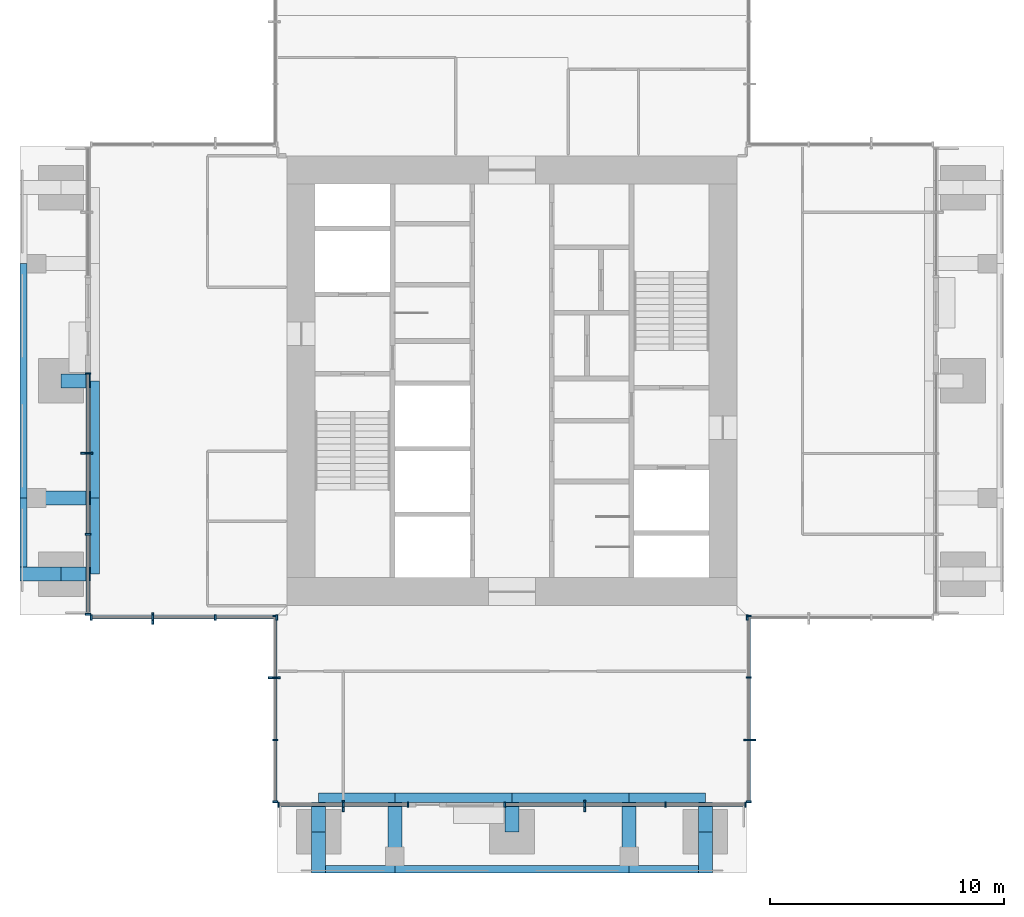
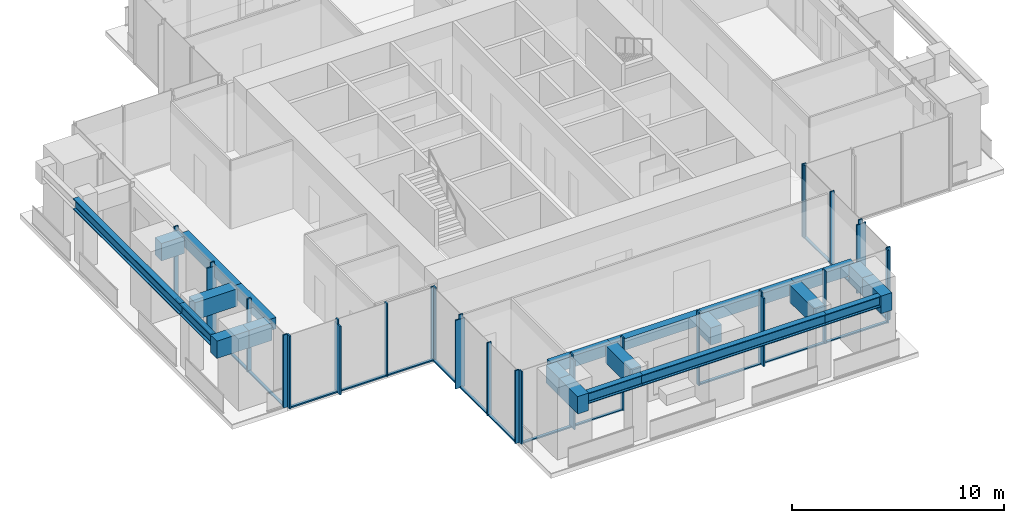
# One storey, part 2 of 12: 47 members, 22 beams, 7 elements without a shape of their own.
"""IFC4 building model written with IfcOpenShell, lengths in metres."""

from ifc_helpers import new_model, si_unit, direction, frame, origin, origin_2d, place, context, subcontext, project, spatial, rectangle, i_section, extrude, material, material_profile, profile_set, type_object, element, aggregate, save


model = new_model("IFC4")

# Units and contexts
model_context = context("Model", 3, precision=1e-05, world=origin(), true_north=direction((0.0, 1.0)))
body_context = subcontext(model_context, "Body", "Model", "MODEL_VIEW")
ifc_project = project(units=[si_unit("LENGTHUNIT", "METRE"), si_unit("AREAUNIT", "SQUARE_METRE"), si_unit("VOLUMEUNIT", "CUBIC_METRE"), si_unit("PLANEANGLEUNIT", "RADIAN"), si_unit("MASSUNIT", "GRAM", prefix="KILO")], contexts=[model_context])

# Site, building, storey
site_placement = place(None, origin())
site = spatial("IfcSite", under=ifc_project, at=site_placement, CompositionType="ELEMENT")
building_placement = place(site_placement, origin())
building = spatial("IfcBuilding", under=site, at=building_placement, Name="Svetlomir Tower", CompositionType="ELEMENT")
storey_placement = place(building_placement, frame((0.0, 0.0, 265.0)))
storey = spatial("IfcBuildingStorey", under=building, at=storey_placement, Name="L63", CompositionType="ELEMENT", Elevation=265.0)

# Curtain wall, member
ifc_material_1 = material(Name="Bronze anodised aluminium curtain wall", Category="aluminium")
curtain_wall_type = type_object("IfcCurtainWallType", Name="CURTAIN WALL CW4 EXECUTIVE", PredefinedType="NOTDEFINED", material=ifc_material_1)
curtain_wall_1_placement = place(storey_placement, origin())
curtain_wall_1 = element("IfcCurtainWall", 1, at=curtain_wall_1_placement, inside=storey, type_object=curtain_wall_type, Name="Curtain wall CW4 L63", PredefinedType="NOTDEFINED")
ifc_material_2 = material(Name="Bronze anodised aluminium", Category="aluminium")
ifc_material_profile_1 = material_profile(ifc_material_2, rectangle(XDim=0.080078125, YDim=0.5, at=origin_2d()), Name="FIN 80x500")
ifc_profile_set_1 = profile_set([ifc_material_profile_1], Name="Bronze anodised aluminium 6063-T6")
member_type_1 = type_object("IfcMemberType", Name="BRONZE FIN 80x500", PredefinedType="USERDEFINED", material=ifc_profile_set_1)
member_1_placement = place(storey_placement, frame((13.800048828125, 2.85009765625, 0.0), z_axis=(0.0, 0.0, 1.0), x_axis=(1.0, 0.0, 0.0)))
member_1 = element("IfcMember", 2, at=member_1_placement, type_object=member_type_1, Name="Bronze fin L63", ObjectType="FIN", PredefinedType="USERDEFINED", context=body_context, shape_type="SweptSolid", body=[
    extrude(rectangle(XDim=0.080078125, YDim=0.5, at=origin_2d()), origin(), (0.0, 0.0, 1.0), 3.949951171875),
])

curtain_wall_2_placement = place(storey_placement, origin())
curtain_wall_2 = element("IfcCurtainWall", 3, at=curtain_wall_2_placement, inside=storey, type_object=curtain_wall_type, Name="Curtain wall CW4 L63", PredefinedType="NOTDEFINED")
member_2_placement = place(storey_placement, frame((24.10009765625, 2.85009765625, 0.0), z_axis=(0.0, 0.0, 1.0), x_axis=(1.0, 0.0, 0.0)))
member_2 = element("IfcMember", 4, at=member_2_placement, type_object=member_type_1, Name="Bronze fin L63", ObjectType="FIN", PredefinedType="USERDEFINED", context=body_context, shape_type="SweptSolid", body=[
    extrude(rectangle(XDim=0.080078125, YDim=0.5, at=origin_2d()), origin(), (0.0, 0.0, 1.0), 3.949951171875),
])

curtain_wall_3_placement = place(storey_placement, origin())
curtain_wall_3 = element("IfcCurtainWall", 5, at=curtain_wall_3_placement, inside=storey, type_object=curtain_wall_type, Name="Curtain wall CW4 L63", PredefinedType="NOTDEFINED")
member_3_placement = place(storey_placement, frame((31.14990234375, 5.666748046875, 0.0), z_axis=(0.0, 0.0, 1.0), x_axis=(0.0, 1.0, 0.0)))
member_3 = element("IfcMember", 6, at=member_3_placement, type_object=member_type_1, Name="Bronze fin L63", ObjectType="FIN", PredefinedType="USERDEFINED", context=body_context, shape_type="SweptSolid", body=[
    extrude(rectangle(XDim=0.080078125, YDim=0.5, at=origin_2d()), origin(), (0.0, 0.0, 1.0), 3.949951171875),
])

curtain_wall_4_placement = place(storey_placement, origin())
curtain_wall_4 = element("IfcCurtainWall", 7, at=curtain_wall_4_placement, inside=storey, type_object=curtain_wall_type, Name="Curtain wall CW4 L63", PredefinedType="NOTDEFINED")
member_4_placement = place(storey_placement, frame((2.85009765625, 17.89990234375, 0.0), z_axis=(0.0, 0.0, 1.0), x_axis=(0.0, 1.0, 0.0)))
member_4 = element("IfcMember", 8, at=member_4_placement, type_object=member_type_1, Name="Bronze fin L63", ObjectType="FIN", PredefinedType="USERDEFINED", context=body_context, shape_type="SweptSolid", body=[
    extrude(rectangle(XDim=0.080078125, YDim=0.5, at=origin_2d()), origin(), (0.0, 0.0, 1.0), 3.949951171875),
])

curtain_wall_5_placement = place(storey_placement, origin())
curtain_wall_5 = element("IfcCurtainWall", 9, at=curtain_wall_5_placement, inside=storey, type_object=curtain_wall_type, Name="Curtain wall CW4 L63", PredefinedType="NOTDEFINED")
member_5_placement = place(storey_placement, frame((5.666748046875, 10.85009765625, 0.0), z_axis=(0.0, 0.0, 1.0), x_axis=(1.0, 0.0, 0.0)))
member_5 = element("IfcMember", 10, at=member_5_placement, type_object=member_type_1, Name="Bronze fin L63", ObjectType="FIN", PredefinedType="USERDEFINED", context=body_context, shape_type="SweptSolid", body=[
    extrude(rectangle(XDim=0.080078125, YDim=0.5, at=origin_2d()), origin(), (0.0, 0.0, 1.0), 3.949951171875),
])

curtain_wall_6_placement = place(storey_placement, origin())
curtain_wall_6 = element("IfcCurtainWall", 11, at=curtain_wall_6_placement, inside=storey, type_object=curtain_wall_type, Name="Curtain wall CW4 L63", PredefinedType="NOTDEFINED")
member_6_placement = place(storey_placement, frame((10.85009765625, 8.333251953125, 0.0), z_axis=(0.0, 0.0, 1.0), x_axis=(0.0, 1.0, 0.0)))
member_6 = element("IfcMember", 12, at=member_6_placement, type_object=member_type_1, Name="Bronze fin L63", ObjectType="FIN", PredefinedType="USERDEFINED", context=body_context, shape_type="SweptSolid", body=[
    extrude(rectangle(XDim=0.080078125, YDim=0.5, at=origin_2d()), origin(), (0.0, 0.0, 1.0), 3.949951171875),
])

# Member
ifc_material_3 = material(Name="Bronze anodised aluminium", Category="aluminium")
ifc_material_profile_2 = material_profile(ifc_material_3, rectangle(XDim=0.074951171875, YDim=0.219970703125, at=origin_2d()), Name="AL 75x220")
ifc_profile_set_2 = profile_set([ifc_material_profile_2], Name="Bronze anodised aluminium 6063-T6")
member_type_2 = type_object("IfcMemberType", Name="CW4 MULLION 75x220", PredefinedType="MULLION", material=ifc_profile_set_2)
member_7_placement = place(storey_placement, frame((11.03759765625, 2.89990234375, 0.0), z_axis=(0.0, 0.0, 1.0), x_axis=(1.0, 0.0, 0.0)))
member_7 = element("IfcMember", 13, at=member_7_placement, type_object=member_type_2, Name="CW4 mullion 1", PredefinedType="MULLION", context=body_context, shape_type="SweptSolid", body=[
    extrude(rectangle(XDim=0.074951171875, YDim=0.219970703125, at=origin_2d()), origin(), (0.0, 0.0, 1.0), 4.199951171875),
])

member_8_placement = place(storey_placement, frame((13.800048828125, 2.89990234375, 0.0), z_axis=(0.0, 0.0, 1.0), x_axis=(1.0, 0.0, 0.0)))
member_8 = element("IfcMember", 14, at=member_8_placement, type_object=member_type_2, Name="CW4 mullion 2", PredefinedType="MULLION", context=body_context, shape_type="SweptSolid", body=[
    extrude(rectangle(XDim=0.074951171875, YDim=0.219970703125, at=origin_2d()), origin(), (0.0, 0.0, 1.0), 4.199951171875),
])

member_9_placement = place(storey_placement, frame((16.5625, 2.89990234375, 0.0), z_axis=(0.0, 0.0, 1.0), x_axis=(1.0, 0.0, 0.0)))
member_9 = element("IfcMember", 15, at=member_9_placement, type_object=member_type_2, Name="CW4 mullion 3", PredefinedType="MULLION", context=body_context, shape_type="SweptSolid", body=[
    extrude(rectangle(XDim=0.074951171875, YDim=0.219970703125, at=origin_2d()), origin(), (0.0, 0.0, 1.0), 4.199951171875),
])

member_10_placement = place(storey_placement, frame((20.6875, 2.89990234375, 0.0), z_axis=(0.0, 0.0, 1.0), x_axis=(1.0, 0.0, 0.0)))
member_10 = element("IfcMember", 16, at=member_10_placement, type_object=member_type_2, Name="CW4 mullion 1", PredefinedType="MULLION", context=body_context, shape_type="SweptSolid", body=[
    extrude(rectangle(XDim=0.074951171875, YDim=0.219970703125, at=origin_2d()), origin(), (0.0, 0.0, 1.0), 4.199951171875),
])

member_11_placement = place(storey_placement, frame((24.10009765625, 2.89990234375, 0.0), z_axis=(0.0, 0.0, 1.0), x_axis=(1.0, 0.0, 0.0)))
member_11 = element("IfcMember", 17, at=member_11_placement, type_object=member_type_2, Name="CW4 mullion 2", PredefinedType="MULLION", context=body_context, shape_type="SweptSolid", body=[
    extrude(rectangle(XDim=0.074951171875, YDim=0.219970703125, at=origin_2d()), origin(), (0.0, 0.0, 1.0), 4.199951171875),
])

member_12_placement = place(storey_placement, frame((27.550048828125, 2.89990234375, 0.0), z_axis=(0.0, 0.0, 1.0), x_axis=(1.0, 0.0, 0.0)))
member_12 = element("IfcMember", 18, at=member_12_placement, type_object=member_type_2, Name="CW4 mullion 3", PredefinedType="MULLION", context=body_context, shape_type="SweptSolid", body=[
    extrude(rectangle(XDim=0.074951171875, YDim=0.219970703125, at=origin_2d()), origin(), (0.0, 0.0, 1.0), 4.199951171875),
])

member_13_placement = place(storey_placement, frame((30.96240234375, 2.89990234375, 0.0), z_axis=(0.0, 0.0, 1.0), x_axis=(1.0, 0.0, 0.0)))
member_13 = element("IfcMember", 19, at=member_13_placement, type_object=member_type_2, Name="CW4 mullion 4", PredefinedType="MULLION", context=body_context, shape_type="SweptSolid", body=[
    extrude(rectangle(XDim=0.074951171875, YDim=0.219970703125, at=origin_2d()), origin(), (0.0, 0.0, 1.0), 4.199951171875),
])

member_14_placement = place(storey_placement, frame((31.10009765625, 3.03759765625, 0.0), z_axis=(0.0, 0.0, 1.0), x_axis=(0.0, 1.0, 0.0)))
member_14 = element("IfcMember", 20, at=member_14_placement, type_object=member_type_2, Name="CW4 mullion 1", PredefinedType="MULLION", context=body_context, shape_type="SweptSolid", body=[
    extrude(rectangle(XDim=0.074951171875, YDim=0.219970703125, at=origin_2d()), origin(), (0.0, 0.0, 1.0), 4.199951171875),
])

member_15_placement = place(storey_placement, frame((31.10009765625, 5.666748046875, 0.0), z_axis=(0.0, 0.0, 1.0), x_axis=(0.0, 1.0, 0.0)))
member_15 = element("IfcMember", 21, at=member_15_placement, type_object=member_type_2, Name="CW4 mullion 2", PredefinedType="MULLION", context=body_context, shape_type="SweptSolid", body=[
    extrude(rectangle(XDim=0.074951171875, YDim=0.219970703125, at=origin_2d()), origin(), (0.0, 0.0, 1.0), 4.199951171875),
])

member_16_placement = place(storey_placement, frame((31.10009765625, 8.333251953125, 0.0), z_axis=(0.0, 0.0, 1.0), x_axis=(0.0, 1.0, 0.0)))
member_16 = element("IfcMember", 22, at=member_16_placement, type_object=member_type_2, Name="CW4 mullion 3", PredefinedType="MULLION", context=body_context, shape_type="SweptSolid", body=[
    extrude(rectangle(XDim=0.074951171875, YDim=0.219970703125, at=origin_2d()), origin(), (0.0, 0.0, 1.0), 4.199951171875),
])

member_17_placement = place(storey_placement, frame((31.10009765625, 10.96240234375, 0.0), z_axis=(0.0, 0.0, 1.0), x_axis=(0.0, 1.0, 0.0)))
member_17 = element("IfcMember", 23, at=member_17_placement, type_object=member_type_2, Name="CW4 mullion 4", PredefinedType="MULLION", context=body_context, shape_type="SweptSolid", body=[
    extrude(rectangle(XDim=0.074951171875, YDim=0.219970703125, at=origin_2d()), origin(), (0.0, 0.0, 1.0), 4.199951171875),
])

# Curtain wall, member
curtain_wall_7_placement = place(storey_placement, origin())
curtain_wall_7 = element("IfcCurtainWall", 24, at=curtain_wall_7_placement, inside=storey, type_object=curtain_wall_type, Name="Curtain wall CW4 L63", PredefinedType="NOTDEFINED")
member_18_placement = place(storey_placement, frame((31.03759765625, 10.89990234375, 0.0), z_axis=(0.0, 0.0, 1.0), x_axis=(1.0, 0.0, 0.0)))
member_18 = element("IfcMember", 25, at=member_18_placement, type_object=member_type_2, Name="CW4 mullion 1", PredefinedType="MULLION", context=body_context, shape_type="SweptSolid", body=[
    extrude(rectangle(XDim=0.074951171875, YDim=0.219970703125, at=origin_2d()), origin(), (0.0, 0.0, 1.0), 4.199951171875),
])
aggregate(curtain_wall_7, [member_18])

# Member
member_19_placement = place(storey_placement, frame((2.89990234375, 21.3125, 0.0), z_axis=(0.0, 0.0, 1.0), x_axis=(0.0, -1.0, 0.0)))
member_19 = element("IfcMember", 26, at=member_19_placement, type_object=member_type_2, Name="CW4 mullion 1", PredefinedType="MULLION", context=body_context, shape_type="SweptSolid", body=[
    extrude(rectangle(XDim=0.074951171875, YDim=0.219970703125, at=origin_2d()), origin(), (0.0, 0.0, 1.0), 4.199951171875),
])

member_20_placement = place(storey_placement, frame((2.89990234375, 17.89990234375, 0.0), z_axis=(0.0, 0.0, 1.0), x_axis=(0.0, -1.0, 0.0)))
member_20 = element("IfcMember", 27, at=member_20_placement, type_object=member_type_2, Name="CW4 mullion 2", PredefinedType="MULLION", context=body_context, shape_type="SweptSolid", body=[
    extrude(rectangle(XDim=0.074951171875, YDim=0.219970703125, at=origin_2d()), origin(), (0.0, 0.0, 1.0), 4.199951171875),
])

member_21_placement = place(storey_placement, frame((2.89990234375, 14.449951171875, 0.0), z_axis=(0.0, 0.0, 1.0), x_axis=(0.0, -1.0, 0.0)))
member_21 = element("IfcMember", 28, at=member_21_placement, type_object=member_type_2, Name="CW4 mullion 3", PredefinedType="MULLION", context=body_context, shape_type="SweptSolid", body=[
    extrude(rectangle(XDim=0.074951171875, YDim=0.219970703125, at=origin_2d()), origin(), (0.0, 0.0, 1.0), 4.199951171875),
])

member_22_placement = place(storey_placement, frame((2.89990234375, 11.03759765625, 0.0), z_axis=(0.0, 0.0, 1.0), x_axis=(0.0, -1.0, 0.0)))
member_22 = element("IfcMember", 29, at=member_22_placement, type_object=member_type_2, Name="CW4 mullion 4", PredefinedType="MULLION", context=body_context, shape_type="SweptSolid", body=[
    extrude(rectangle(XDim=0.074951171875, YDim=0.219970703125, at=origin_2d()), origin(), (0.0, 0.0, 1.0), 4.199951171875),
])

member_23_placement = place(storey_placement, frame((3.03759765625, 10.89990234375, 0.0), z_axis=(0.0, 0.0, 1.0), x_axis=(1.0, 0.0, 0.0)))
member_23 = element("IfcMember", 30, at=member_23_placement, type_object=member_type_2, Name="CW4 mullion 1", PredefinedType="MULLION", context=body_context, shape_type="SweptSolid", body=[
    extrude(rectangle(XDim=0.074951171875, YDim=0.219970703125, at=origin_2d()), origin(), (0.0, 0.0, 1.0), 4.199951171875),
])

member_24_placement = place(storey_placement, frame((5.666748046875, 10.89990234375, 0.0), z_axis=(0.0, 0.0, 1.0), x_axis=(1.0, 0.0, 0.0)))
member_24 = element("IfcMember", 31, at=member_24_placement, type_object=member_type_2, Name="CW4 mullion 2", PredefinedType="MULLION", context=body_context, shape_type="SweptSolid", body=[
    extrude(rectangle(XDim=0.074951171875, YDim=0.219970703125, at=origin_2d()), origin(), (0.0, 0.0, 1.0), 4.199951171875),
])

member_25_placement = place(storey_placement, frame((8.333251953125, 10.89990234375, 0.0), z_axis=(0.0, 0.0, 1.0), x_axis=(1.0, 0.0, 0.0)))
member_25 = element("IfcMember", 32, at=member_25_placement, type_object=member_type_2, Name="CW4 mullion 3", PredefinedType="MULLION", context=body_context, shape_type="SweptSolid", body=[
    extrude(rectangle(XDim=0.074951171875, YDim=0.219970703125, at=origin_2d()), origin(), (0.0, 0.0, 1.0), 4.199951171875),
])

member_26_placement = place(storey_placement, frame((10.96240234375, 10.89990234375, 0.0), z_axis=(0.0, 0.0, 1.0), x_axis=(1.0, 0.0, 0.0)))
member_26 = element("IfcMember", 33, at=member_26_placement, type_object=member_type_2, Name="CW4 mullion 4", PredefinedType="MULLION", context=body_context, shape_type="SweptSolid", body=[
    extrude(rectangle(XDim=0.074951171875, YDim=0.219970703125, at=origin_2d()), origin(), (0.0, 0.0, 1.0), 4.199951171875),
])

member_27_placement = place(storey_placement, frame((10.89990234375, 10.96240234375, 0.0), z_axis=(0.0, 0.0, 1.0), x_axis=(0.0, -1.0, 0.0)))
member_27 = element("IfcMember", 34, at=member_27_placement, type_object=member_type_2, Name="CW4 mullion 1", PredefinedType="MULLION", context=body_context, shape_type="SweptSolid", body=[
    extrude(rectangle(XDim=0.074951171875, YDim=0.219970703125, at=origin_2d()), origin(), (0.0, 0.0, 1.0), 4.199951171875),
])

member_28_placement = place(storey_placement, frame((10.89990234375, 8.333251953125, 0.0), z_axis=(0.0, 0.0, 1.0), x_axis=(0.0, -1.0, 0.0)))
member_28 = element("IfcMember", 35, at=member_28_placement, type_object=member_type_2, Name="CW4 mullion 2", PredefinedType="MULLION", context=body_context, shape_type="SweptSolid", body=[
    extrude(rectangle(XDim=0.074951171875, YDim=0.219970703125, at=origin_2d()), origin(), (0.0, 0.0, 1.0), 4.199951171875),
])

member_29_placement = place(storey_placement, frame((10.89990234375, 5.666748046875, 0.0), z_axis=(0.0, 0.0, 1.0), x_axis=(0.0, -1.0, 0.0)))
member_29 = element("IfcMember", 36, at=member_29_placement, type_object=member_type_2, Name="CW4 mullion 3", PredefinedType="MULLION", context=body_context, shape_type="SweptSolid", body=[
    extrude(rectangle(XDim=0.074951171875, YDim=0.219970703125, at=origin_2d()), origin(), (0.0, 0.0, 1.0), 4.199951171875),
])

member_30_placement = place(storey_placement, frame((10.89990234375, 3.03759765625, 0.0), z_axis=(0.0, 0.0, 1.0), x_axis=(0.0, -1.0, 0.0)))
member_30 = element("IfcMember", 37, at=member_30_placement, type_object=member_type_2, Name="CW4 mullion 4", PredefinedType="MULLION", context=body_context, shape_type="SweptSolid", body=[
    extrude(rectangle(XDim=0.074951171875, YDim=0.219970703125, at=origin_2d()), origin(), (0.0, 0.0, 1.0), 4.199951171875),
])

ifc_material_4 = material(Name="Bronze anodised aluminium", Category="aluminium")
ifc_material_profile_3 = material_profile(ifc_material_4, rectangle(XDim=0.14990234375, YDim=0.074951171875, at=origin_2d()), Name="AL 150x75")
ifc_profile_set_3 = profile_set([ifc_material_profile_3], Name="Bronze anodised aluminium 6063-T6")
member_type_3 = type_object("IfcMemberType", Name="CW4 TRANSOM 75x150", PredefinedType="USERDEFINED", material=ifc_profile_set_3)
member_31_placement = place(storey_placement, frame((11.074951171875, 2.89990234375, 0.03759765625), z_axis=(1.0, 0.0, 0.0), x_axis=(0.0, 1.0, 0.0)))
member_31 = element("IfcMember", 38, at=member_31_placement, type_object=member_type_3, Name="CW4 transom 1.1", ObjectType="TRANSOM", PredefinedType="USERDEFINED", context=body_context, shape_type="SweptSolid", body=[
    extrude(rectangle(XDim=0.14990234375, YDim=0.074951171875, at=origin_2d()), origin(), (0.0, 0.0, 1.0), 2.6875),
])

member_32_placement = place(storey_placement, frame((13.83740234375, 2.89990234375, 0.03759765625), z_axis=(1.0, 0.0, 0.0), x_axis=(0.0, 1.0, 0.0)))
member_32 = element("IfcMember", 39, at=member_32_placement, type_object=member_type_3, Name="CW4 transom 2.1", ObjectType="TRANSOM", PredefinedType="USERDEFINED", context=body_context, shape_type="SweptSolid", body=[
    extrude(rectangle(XDim=0.14990234375, YDim=0.074951171875, at=origin_2d()), origin(), (0.0, 0.0, 1.0), 2.6875),
])

aggregate(curtain_wall_1, [member_7, member_8, member_9, member_31, member_32, member_1])

member_33_placement = place(storey_placement, frame((20.72509765625, 2.89990234375, 0.03759765625), z_axis=(1.0, 0.0, 0.0), x_axis=(0.0, 1.0, 0.0)))
member_33 = element("IfcMember", 40, at=member_33_placement, type_object=member_type_3, Name="CW4 transom 1.1", ObjectType="TRANSOM", PredefinedType="USERDEFINED", context=body_context, shape_type="SweptSolid", body=[
    extrude(rectangle(XDim=0.14990234375, YDim=0.074951171875, at=origin_2d()), origin(), (0.0, 0.0, 1.0), 3.33740234375),
])

member_34_placement = place(storey_placement, frame((24.137451171875, 2.89990234375, 0.03759765625), z_axis=(1.0, 0.0, 0.0), x_axis=(0.0, 1.0, 0.0)))
member_34 = element("IfcMember", 41, at=member_34_placement, type_object=member_type_3, Name="CW4 transom 2.1", ObjectType="TRANSOM", PredefinedType="USERDEFINED", context=body_context, shape_type="SweptSolid", body=[
    extrude(rectangle(XDim=0.14990234375, YDim=0.074951171875, at=origin_2d()), origin(), (0.0, 0.0, 1.0), 3.375),
])

member_35_placement = place(storey_placement, frame((27.58740234375, 2.89990234375, 0.03759765625), z_axis=(1.0, 0.0, 0.0), x_axis=(0.0, 1.0, 0.0)))
member_35 = element("IfcMember", 42, at=member_35_placement, type_object=member_type_3, Name="CW4 transom 3.1", ObjectType="TRANSOM", PredefinedType="USERDEFINED", context=body_context, shape_type="SweptSolid", body=[
    extrude(rectangle(XDim=0.14990234375, YDim=0.074951171875, at=origin_2d()), origin(), (0.0, 0.0, 1.0), 3.337646484375),
])

aggregate(curtain_wall_2, [member_10, member_11, member_12, member_13, member_33, member_34, member_35, member_2])

member_36_placement = place(storey_placement, frame((31.10009765625, 3.074951171875, 0.03759765625), z_axis=(0.0, 1.0, 0.0), x_axis=(-1.0, 0.0, 0.0)))
member_36 = element("IfcMember", 43, at=member_36_placement, type_object=member_type_3, Name="CW4 transom 1.1", ObjectType="TRANSOM", PredefinedType="USERDEFINED", context=body_context, shape_type="SweptSolid", body=[
    extrude(rectangle(XDim=0.14990234375, YDim=0.074951171875, at=origin_2d()), origin(), (0.0, 0.0, 1.0), 2.55419921875),
])

member_37_placement = place(storey_placement, frame((31.10009765625, 5.7041015625, 0.03759765625), z_axis=(0.0, 1.0, 0.0), x_axis=(-1.0, 0.0, 0.0)))
member_37 = element("IfcMember", 44, at=member_37_placement, type_object=member_type_3, Name="CW4 transom 2.1", ObjectType="TRANSOM", PredefinedType="USERDEFINED", context=body_context, shape_type="SweptSolid", body=[
    extrude(rectangle(XDim=0.14990234375, YDim=0.074951171875, at=origin_2d()), origin(), (0.0, 0.0, 1.0), 2.591796875),
])

member_38_placement = place(storey_placement, frame((31.10009765625, 8.370849609375, 0.03759765625), z_axis=(0.0, 1.0, 0.0), x_axis=(-1.0, 0.0, 0.0)))
member_38 = element("IfcMember", 45, at=member_38_placement, type_object=member_type_3, Name="CW4 transom 3.1", ObjectType="TRANSOM", PredefinedType="USERDEFINED", context=body_context, shape_type="SweptSolid", body=[
    extrude(rectangle(XDim=0.14990234375, YDim=0.074951171875, at=origin_2d()), origin(), (0.0, 0.0, 1.0), 2.55419921875),
])

aggregate(curtain_wall_3, [member_14, member_15, member_16, member_17, member_36, member_37, member_38, member_3])

member_39_placement = place(storey_placement, frame((2.89990234375, 21.27490234375, 0.03759765625), z_axis=(0.0, -1.0, 0.0), x_axis=(1.0, 0.0, 0.0)))
member_39 = element("IfcMember", 46, at=member_39_placement, type_object=member_type_3, Name="CW4 transom 1.1", ObjectType="TRANSOM", PredefinedType="USERDEFINED", context=body_context, shape_type="SweptSolid", body=[
    extrude(rectangle(XDim=0.14990234375, YDim=0.074951171875, at=origin_2d()), origin(), (0.0, 0.0, 1.0), 3.33740234375),
])

member_40_placement = place(storey_placement, frame((2.89990234375, 17.862548828125, 0.03759765625), z_axis=(0.0, -1.0, 0.0), x_axis=(1.0, 0.0, 0.0)))
member_40 = element("IfcMember", 47, at=member_40_placement, type_object=member_type_3, Name="CW4 transom 2.1", ObjectType="TRANSOM", PredefinedType="USERDEFINED", context=body_context, shape_type="SweptSolid", body=[
    extrude(rectangle(XDim=0.14990234375, YDim=0.074951171875, at=origin_2d()), origin(), (0.0, 0.0, 1.0), 3.375),
])

member_41_placement = place(storey_placement, frame((2.89990234375, 14.41259765625, 0.03759765625), z_axis=(0.0, -1.0, 0.0), x_axis=(1.0, 0.0, 0.0)))
member_41 = element("IfcMember", 48, at=member_41_placement, type_object=member_type_3, Name="CW4 transom 3.1", ObjectType="TRANSOM", PredefinedType="USERDEFINED", context=body_context, shape_type="SweptSolid", body=[
    extrude(rectangle(XDim=0.14990234375, YDim=0.074951171875, at=origin_2d()), origin(), (0.0, 0.0, 1.0), 3.337646484375),
])

aggregate(curtain_wall_4, [member_19, member_20, member_21, member_22, member_39, member_40, member_41, member_4])

member_42_placement = place(storey_placement, frame((3.074951171875, 10.89990234375, 0.03759765625), z_axis=(1.0, 0.0, 0.0), x_axis=(0.0, 1.0, 0.0)))
member_42 = element("IfcMember", 49, at=member_42_placement, type_object=member_type_3, Name="CW4 transom 1.1", ObjectType="TRANSOM", PredefinedType="USERDEFINED", context=body_context, shape_type="SweptSolid", body=[
    extrude(rectangle(XDim=0.14990234375, YDim=0.074951171875, at=origin_2d()), origin(), (0.0, 0.0, 1.0), 2.55419921875),
])

member_43_placement = place(storey_placement, frame((5.7041015625, 10.89990234375, 0.03759765625), z_axis=(1.0, 0.0, 0.0), x_axis=(0.0, 1.0, 0.0)))
member_43 = element("IfcMember", 50, at=member_43_placement, type_object=member_type_3, Name="CW4 transom 2.1", ObjectType="TRANSOM", PredefinedType="USERDEFINED", context=body_context, shape_type="SweptSolid", body=[
    extrude(rectangle(XDim=0.14990234375, YDim=0.074951171875, at=origin_2d()), origin(), (0.0, 0.0, 1.0), 2.591796875),
])

member_44_placement = place(storey_placement, frame((8.370849609375, 10.89990234375, 0.03759765625), z_axis=(1.0, 0.0, 0.0), x_axis=(0.0, 1.0, 0.0)))
member_44 = element("IfcMember", 51, at=member_44_placement, type_object=member_type_3, Name="CW4 transom 3.1", ObjectType="TRANSOM", PredefinedType="USERDEFINED", context=body_context, shape_type="SweptSolid", body=[
    extrude(rectangle(XDim=0.14990234375, YDim=0.074951171875, at=origin_2d()), origin(), (0.0, 0.0, 1.0), 2.55419921875),
])

aggregate(curtain_wall_5, [member_23, member_24, member_25, member_26, member_42, member_43, member_44, member_5])

member_45_placement = place(storey_placement, frame((10.89990234375, 10.925048828125, 0.03759765625), z_axis=(0.0, -1.0, 0.0), x_axis=(1.0, 0.0, 0.0)))
member_45 = element("IfcMember", 52, at=member_45_placement, type_object=member_type_3, Name="CW4 transom 1.1", ObjectType="TRANSOM", PredefinedType="USERDEFINED", context=body_context, shape_type="SweptSolid", body=[
    extrude(rectangle(XDim=0.14990234375, YDim=0.074951171875, at=origin_2d()), origin(), (0.0, 0.0, 1.0), 2.55419921875),
])

member_46_placement = place(storey_placement, frame((10.89990234375, 8.2958984375, 0.03759765625), z_axis=(0.0, -1.0, 0.0), x_axis=(1.0, 0.0, 0.0)))
member_46 = element("IfcMember", 53, at=member_46_placement, type_object=member_type_3, Name="CW4 transom 2.1", ObjectType="TRANSOM", PredefinedType="USERDEFINED", context=body_context, shape_type="SweptSolid", body=[
    extrude(rectangle(XDim=0.14990234375, YDim=0.074951171875, at=origin_2d()), origin(), (0.0, 0.0, 1.0), 2.591796875),
])

member_47_placement = place(storey_placement, frame((10.89990234375, 5.629150390625, 0.03759765625), z_axis=(0.0, -1.0, 0.0), x_axis=(1.0, 0.0, 0.0)))
member_47 = element("IfcMember", 54, at=member_47_placement, type_object=member_type_3, Name="CW4 transom 3.1", ObjectType="TRANSOM", PredefinedType="USERDEFINED", context=body_context, shape_type="SweptSolid", body=[
    extrude(rectangle(XDim=0.14990234375, YDim=0.074951171875, at=origin_2d()), origin(), (0.0, 0.0, 1.0), 2.55419921875),
])

aggregate(curtain_wall_6, [member_27, member_28, member_29, member_30, member_45, member_46, member_47, member_6])

# Beams
ifc_material_5 = material(Name="Steel S355", Category="steel")
ifc_material_profile_4 = material_profile(ifc_material_5, i_section(OverallWidth=0.304931640625, OverallDepth=0.6201171875, WebThickness=0.02099609375, FlangeThickness=0.0400390625, FilletRadius=0.027099609375, at=origin_2d()), Name="HEM 600")
ifc_profile_set_4 = profile_set([ifc_material_profile_4], Name="Steel S355")
beam_type_1 = type_object("IfcBeamType", Name="EDGE BEAM HEM 600", PredefinedType="SPANDREL", material=ifc_profile_set_4)
for number, where, z_axis, x_axis, name in (
    (55, (13.050048828125, 0.152587890625, 3.639892578125), (1.0, 0.0, 0.0), (0.0, 1.0, 0.0), "Edge beam 11/0 to 16/0 under L64"),
    (56, (0.152587890625, 13.050048828125, 3.639892578125), (0.0, 1.0, 0.0), (-1.0, 0.0, 0.0), "Edge beam 0/11 to 0/16 under L64"),
):
    element("IfcBeam", number, at=place(storey_placement, frame(where, z_axis=z_axis, x_axis=x_axis)), inside=storey, type_object=beam_type_1, Name=name, PredefinedType="SPANDREL", context=body_context, shape_type="SweptSolid", body=[
        extrude(i_section(OverallWidth=0.304931640625, OverallDepth=0.6201171875, WebThickness=0.02099609375, FlangeThickness=0.0400390625, FilletRadius=0.027099609375, at=origin_2d()), origin(), (0.0, 0.0, 1.0), 2.949951171875),
    ])
for number, where, z_axis, x_axis, name in (
    (57, (16.0, 0.152587890625, 3.639892578125), (1.0, 0.0, 0.0), (0.0, 1.0, 0.0), "Edge beam 16/0 to 26/0 under L64"),
    (58, (0.152587890625, 16.0, 3.639892578125), (0.0, 1.0, 0.0), (-1.0, 0.0, 0.0), "Edge beam 0/16 to 0/26 under L64"),
):
    element("IfcBeam", number, at=place(storey_placement, frame(where, z_axis=z_axis, x_axis=x_axis)), inside=storey, type_object=beam_type_1, Name=name, PredefinedType="SPANDREL", context=body_context, shape_type="SweptSolid", body=[
        extrude(i_section(OverallWidth=0.304931640625, OverallDepth=0.6201171875, WebThickness=0.02099609375, FlangeThickness=0.0400390625, FilletRadius=0.027099609375, at=origin_2d()), origin(), (0.0, 0.0, 1.0), 10.0),
    ])
beam_1_placement = place(storey_placement, frame((26.0, 0.152587890625, 3.639892578125), z_axis=(1.0, 0.0, 0.0), x_axis=(0.0, 1.0, 0.0)))
element("IfcBeam", 59, at=beam_1_placement, inside=storey, type_object=beam_type_1, Name="Edge beam 26/0 to 31/0 under L64", PredefinedType="SPANDREL", context=body_context, shape_type="SweptSolid", body=[
    extrude(i_section(OverallWidth=0.304931640625, OverallDepth=0.6201171875, WebThickness=0.02099609375, FlangeThickness=0.0400390625, FilletRadius=0.027099609375, at=origin_2d()), origin(), (0.0, 0.0, 1.0), 2.949951171875),
])
ifc_material_6 = material(Name="Concrete C60/75", Category="concrete")
ifc_material_profile_5 = material_profile(ifc_material_6, rectangle(XDim=0.60009765625, YDim=1.0, at=origin_2d()), Name="RC 600x1000")
ifc_profile_set_5 = profile_set([ifc_material_profile_5], Name="Concrete C60/75")
beam_type_2 = type_object("IfcBeamType", Name="EDGE LINK BEAM RC 600x1000", PredefinedType="BEAM", material=ifc_profile_set_5)
for number, where, z_axis, x_axis, name in (
    (60, (1.75, 12.75, 3.449951171875), (-1.0, 0.0, 0.0), (0.0, -1.0, 0.0), "Edge link beam W 0/11 under L64"),
    (61, (12.75, 1.75, 3.449951171875), (0.0, -1.0, 0.0), (1.0, 0.0, 0.0), "Edge link beam S 11/0 under L64"),
    (62, (29.25, 1.75, 3.449951171875), (0.0, -1.0, 0.0), (1.0, 0.0, 0.0), "Edge link beam S 31/0 under L64"),
):
    element("IfcBeam", number, at=place(storey_placement, frame(where, z_axis=z_axis, x_axis=x_axis)), inside=storey, type_object=beam_type_2, Name=name, PredefinedType="BEAM", context=body_context, shape_type="SweptSolid", body=[
        extrude(rectangle(XDim=0.60009765625, YDim=1.0, at=origin_2d()), origin(), (0.0, 0.0, 1.0), 1.75),
    ])
ifc_material_7 = material(Name="Concrete C60/75", Category="concrete")
ifc_material_profile_6 = material_profile(ifc_material_7, rectangle(XDim=0.39990234375, YDim=0.64990234375, at=origin_2d()), Name="RC 400x650")
ifc_profile_set_6 = profile_set([ifc_material_profile_6], Name="Concrete C60/75")
beam_type_3 = type_object("IfcBeamType", Name="FACADE EDGE BEAM RC 400x650", PredefinedType="BEAM", material=ifc_profile_set_6)
beam_2_placement = place(storey_placement, frame((12.75, 3.199951171875, 3.625), z_axis=(1.0, 0.0, 0.0), x_axis=(0.0, 1.0, 0.0)))
element("IfcBeam", 63, at=beam_2_placement, inside=storey, type_object=beam_type_3, Name="Facade edge beam S 11 to 16 under L64", PredefinedType="BEAM", context=body_context, shape_type="SweptSolid", body=[
    extrude(rectangle(XDim=0.39990234375, YDim=0.64990234375, at=origin_2d()), origin(), (0.0, 0.0, 1.0), 3.25),
])
for number, where, z_axis, x_axis, name in (
    (64, (16.0, 3.199951171875, 3.625), (1.0, 0.0, 0.0), (0.0, 1.0, 0.0), "Facade edge beam S 16 to 21 under L64"),
    (65, (21.0, 3.199951171875, 3.625), (1.0, 0.0, 0.0), (0.0, 1.0, 0.0), "Facade edge beam S 21 to 26 under L64"),
):
    element("IfcBeam", number, at=place(storey_placement, frame(where, z_axis=z_axis, x_axis=x_axis)), inside=storey, type_object=beam_type_3, Name=name, PredefinedType="BEAM", context=body_context, shape_type="SweptSolid", body=[
        extrude(rectangle(XDim=0.39990234375, YDim=0.64990234375, at=origin_2d()), origin(), (0.0, 0.0, 1.0), 5.0),
    ])
for number, where, z_axis, x_axis, name in (
    (66, (26.0, 3.199951171875, 3.625), (1.0, 0.0, 0.0), (0.0, 1.0, 0.0), "Facade edge beam S 26 to 31 under L64"),
    (67, (3.199951171875, 12.75, 3.625), (0.0, 1.0, 0.0), (-1.0, 0.0, 0.0), "Facade edge beam W 11 to 16 under L64"),
):
    element("IfcBeam", number, at=place(storey_placement, frame(where, z_axis=z_axis, x_axis=x_axis)), inside=storey, type_object=beam_type_3, Name=name, PredefinedType="BEAM", context=body_context, shape_type="SweptSolid", body=[
        extrude(rectangle(XDim=0.39990234375, YDim=0.64990234375, at=origin_2d()), origin(), (0.0, 0.0, 1.0), 3.25),
    ])
beam_3_placement = place(storey_placement, frame((3.199951171875, 16.0, 3.625), z_axis=(0.0, 1.0, 0.0), x_axis=(-1.0, 0.0, 0.0)))
element("IfcBeam", 68, at=beam_3_placement, inside=storey, type_object=beam_type_3, Name="Facade edge beam W 16 to 21 under L64", PredefinedType="BEAM", context=body_context, shape_type="SweptSolid", body=[
    extrude(rectangle(XDim=0.39990234375, YDim=0.64990234375, at=origin_2d()), origin(), (0.0, 0.0, 1.0), 5.0),
])
ifc_material_8 = material(Name="Concrete C60/75", Category="concrete")
ifc_material_profile_7 = material_profile(ifc_material_8, rectangle(XDim=0.60009765625, YDim=1.0, at=origin_2d()), Name="RC 600x1000")
ifc_profile_set_7 = profile_set([ifc_material_profile_7], Name="Concrete C60/75")
beam_type_4 = type_object("IfcBeamType", Name="LOGGIA LINK BEAM RC 600x1000", PredefinedType="BEAM", material=ifc_profile_set_7)
beam_4_placement = place(storey_placement, frame((12.75, 1.75, 3.449951171875), z_axis=(0.0, 1.0, 0.0), x_axis=(-1.0, 0.0, 0.0)))
element("IfcBeam", 69, at=beam_4_placement, inside=storey, type_object=beam_type_4, Name="Loggia link beam S 11 under L64", PredefinedType="BEAM", context=body_context, shape_type="SweptSolid", body=[
    extrude(rectangle(XDim=0.60009765625, YDim=1.0, at=origin_2d()), origin(), (0.0, 0.0, 1.0), 1.25),
])
beam_5_placement = place(storey_placement, frame((16.0, 0.699951171875, 3.449951171875), z_axis=(0.0, 1.0, 0.0), x_axis=(-1.0, 0.0, 0.0)))
element("IfcBeam", 70, at=beam_5_placement, inside=storey, type_object=beam_type_4, Name="Loggia link beam S 16 under L64", PredefinedType="BEAM", context=body_context, shape_type="SweptSolid", body=[
    extrude(rectangle(XDim=0.60009765625, YDim=1.0, at=origin_2d()), origin(), (0.0, 0.0, 1.0), 2.300048828125),
])
beam_6_placement = place(storey_placement, frame((21.0, 1.75, 3.449951171875), z_axis=(0.0, 1.0, 0.0), x_axis=(-1.0, 0.0, 0.0)))
element("IfcBeam", 71, at=beam_6_placement, inside=storey, type_object=beam_type_4, Name="Loggia link beam S 21 under L64", PredefinedType="BEAM", context=body_context, shape_type="SweptSolid", body=[
    extrude(rectangle(XDim=0.60009765625, YDim=1.0, at=origin_2d()), origin(), (0.0, 0.0, 1.0), 1.25),
])
beam_7_placement = place(storey_placement, frame((26.0, 0.699951171875, 3.449951171875), z_axis=(0.0, 1.0, 0.0), x_axis=(-1.0, 0.0, 0.0)))
element("IfcBeam", 72, at=beam_7_placement, inside=storey, type_object=beam_type_4, Name="Loggia link beam S 26 under L64", PredefinedType="BEAM", context=body_context, shape_type="SweptSolid", body=[
    extrude(rectangle(XDim=0.60009765625, YDim=1.0, at=origin_2d()), origin(), (0.0, 0.0, 1.0), 2.300048828125),
])
for number, where, z_axis, x_axis, name in (
    (73, (29.25, 1.75, 3.449951171875), (0.0, 1.0, 0.0), (-1.0, 0.0, 0.0), "Loggia link beam S 31 under L64"),
    (74, (1.75, 12.75, 3.449951171875), (1.0, 0.0, 0.0), (0.0, 1.0, 0.0), "Loggia link beam W 11 under L64"),
):
    element("IfcBeam", number, at=place(storey_placement, frame(where, z_axis=z_axis, x_axis=x_axis)), inside=storey, type_object=beam_type_4, Name=name, PredefinedType="BEAM", context=body_context, shape_type="SweptSolid", body=[
        extrude(rectangle(XDim=0.60009765625, YDim=1.0, at=origin_2d()), origin(), (0.0, 0.0, 1.0), 1.25),
    ])
beam_8_placement = place(storey_placement, frame((0.699951171875, 16.0, 3.449951171875), z_axis=(1.0, 0.0, 0.0), x_axis=(0.0, 1.0, 0.0)))
element("IfcBeam", 75, at=beam_8_placement, inside=storey, type_object=beam_type_4, Name="Loggia link beam W 16 under L64", PredefinedType="BEAM", context=body_context, shape_type="SweptSolid", body=[
    extrude(rectangle(XDim=0.60009765625, YDim=1.0, at=origin_2d()), origin(), (0.0, 0.0, 1.0), 2.300048828125),
])
beam_9_placement = place(storey_placement, frame((1.75, 21.0, 3.449951171875), z_axis=(1.0, 0.0, 0.0), x_axis=(0.0, 1.0, 0.0)))
element("IfcBeam", 76, at=beam_9_placement, inside=storey, type_object=beam_type_4, Name="Loggia link beam W 21 under L64", PredefinedType="BEAM", context=body_context, shape_type="SweptSolid", body=[
    extrude(rectangle(XDim=0.60009765625, YDim=1.0, at=origin_2d()), origin(), (0.0, 0.0, 1.0), 1.25),
])

save(model, "model.ifc")
